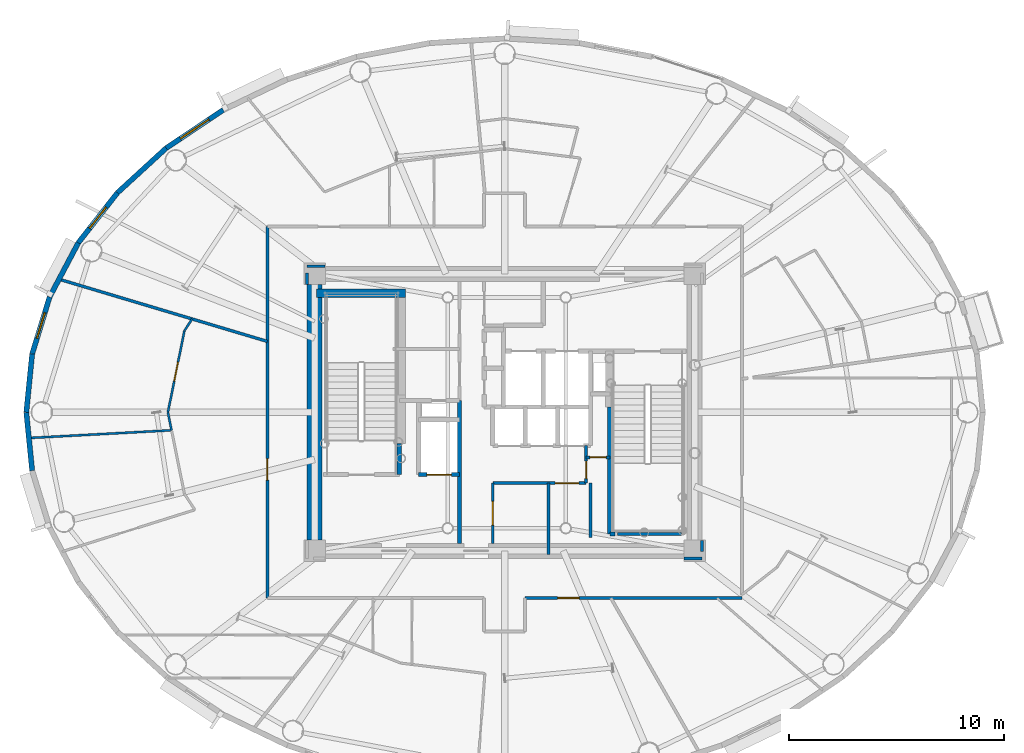
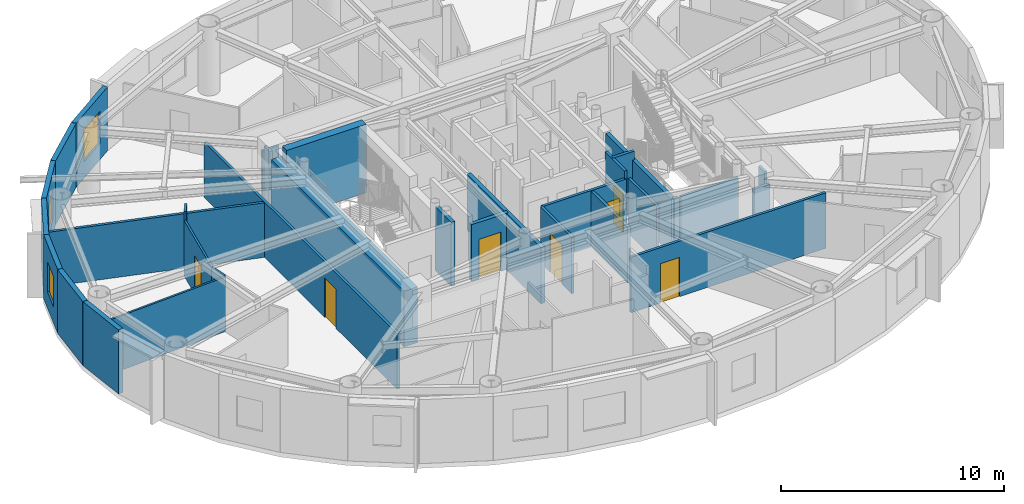
# One storey, part 8 of 18: 32 walls, 8 doors, 3 windows, 11 openings.
"""IFC4 building model written with IfcOpenShell, lengths in metres."""

import ifcopenshell
import ifcopenshell.guid

model = None  # the IFC model being written
_history = None  # IfcOwnerHistory: only IFC2X3 demands one
_inside = {}  # id of a spatial element -> (the spatial element, [elements in it])
_under = {}  # id of a project, library or spatial element -> (it, [spatial elements below it])
_declared = {}  # id of a project -> (the project, [libraries it declares])
_typed = {}  # id of a type object -> (the type object, [elements of that type])
_made_of = {}  # id of a material, layer set ... -> (it, [elements and type objects made of it])


def new_model(schema):
    """Start an empty IFC model of exactly this schema.

    Asked for "IFC4X3", IfcOpenShell would pick the latest addendum, in which some entities
    have other attributes; the version numbers below select the first issue.
    IFC2X3 requires an IfcOwnerHistory on every rooted entity: one is made here for all.
    """
    global model, _history
    if schema == "IFC4X3":
        model = ifcopenshell.file(schema_version=(4, 3, 0, 0))
    else:
        model = ifcopenshell.file(schema=schema)
    _inside.clear()
    _under.clear()
    _declared.clear()
    _typed.clear()
    _made_of.clear()
    _history = None
    if model.schema == "IFC2X3":
        org = make("IfcOrganization", Name="unknown")
        user = make(
            "IfcPersonAndOrganization",
            ThePerson=make("IfcPerson", FamilyName="unknown"),
            TheOrganization=org,
        )
        app = make(
            "IfcApplication",
            ApplicationDeveloper=org,
            Version="unknown",
            ApplicationFullName="unknown",
            ApplicationIdentifier="unknown",
        )
        _history = make(
            "IfcOwnerHistory",
            OwningUser=user,
            OwningApplication=app,
            ChangeAction="ADDED",
            CreationDate=0,
        )
    return model


def make(cls, **values):
    """One entity of the class cls with the attributes given. An attribute that is None is left unset."""
    return model.create_entity(
        cls, **{name: value for name, value in values.items() if value is not None}
    )


def rooted(cls, **values):
    """An entity with a GlobalId (a new one), such as an element, a storey or a relation."""
    return make(cls, GlobalId=ifcopenshell.guid.new(), OwnerHistory=_history, **values)


def si_unit(unit_type, name, prefix=None):
    """IfcSIUnit, for example si_unit("LENGTHUNIT", "METRE", prefix="MILLI")."""
    return make("IfcSIUnit", UnitType=unit_type, Prefix=prefix, Name=name)


def assignment(units):
    """IfcUnitAssignment: the units of a project."""
    return None if units is None else make("IfcUnitAssignment", Units=units)


def point(xyz):
    """IfcCartesianPoint."""
    return None if xyz is None else make("IfcCartesianPoint", Coordinates=xyz)


def direction(xyz):
    """IfcDirection."""
    return None if xyz is None else make("IfcDirection", DirectionRatios=xyz)


def frame(location, z_axis=None, x_axis=None):
    """IfcAxis2Placement3D, a coordinate frame: its origin and axes. An axis left out is left unset."""
    return make(
        "IfcAxis2Placement3D",
        Location=point(location),
        Axis=direction(z_axis),
        RefDirection=direction(x_axis),
    )


def frame_2d(location, x_axis=None):
    """IfcAxis2Placement2D, a coordinate frame in the plane: its origin and x axis."""
    return make(
        "IfcAxis2Placement2D", Location=point(location), RefDirection=direction(x_axis)
    )


def origin():
    """The frame at (0, 0, 0) with its axes left unset."""
    return frame((0.0, 0.0, 0.0))


def origin_2d():
    """The frame at (0, 0) in the plane with its x axis left unset."""
    return frame_2d((0.0, 0.0))


def place(relative_to, where):
    """IfcLocalPlacement: puts the frame where relative to a parent placement (None: the world)."""
    return make(
        "IfcLocalPlacement", PlacementRelTo=relative_to, RelativePlacement=where
    )


def context(
    kind, dimensions, precision=None, world=None, true_north=None, identifier=None
):
    """IfcGeometricRepresentationContext, for example the 3D "Model" context."""
    return make(
        "IfcGeometricRepresentationContext",
        ContextIdentifier=identifier,
        ContextType=kind,
        CoordinateSpaceDimension=dimensions,
        Precision=precision,
        WorldCoordinateSystem=world,
        TrueNorth=true_north,
    )


def subcontext(parent, identifier, kind, view, scale=None):
    """IfcGeometricRepresentationSubContext, for example "Body" below "Model"."""
    return make(
        "IfcGeometricRepresentationSubContext",
        ContextIdentifier=identifier,
        ContextType=kind,
        ParentContext=parent,
        TargetScale=scale,
        TargetView=view,
    )


def project(units=None, contexts=None):
    """IfcProject with its units and contexts."""
    return rooted(
        "IfcProject",
        Name="project",
        RepresentationContexts=contexts,
        UnitsInContext=assignment(units),
    )


def spatial(cls, under=None, at=None, **own):
    """A site, building, storey or space (cls), placed at a placement, below another one or the project."""
    s = rooted(cls, ObjectPlacement=at, **own)
    if under is not None:
        _under.setdefault(under.id(), (under, []))[1].append(s)
    return s


def profile(cls, at=None, kind="AREA", **sizes):
    """A parametric profile (cls). Its sizes go by their IFC names, for example OverallWidth=200.0."""
    return make(cls, ProfileType=kind, Position=at, **sizes)


def rectangle(**sizes):
    """IfcRectangleProfileDef."""
    return profile("IfcRectangleProfileDef", **sizes)


def extrude(swept, where, along, depth):
    """IfcExtrudedAreaSolid: the profile swept, set in the frame where, extruded along a direction by depth."""
    return make(
        "IfcExtrudedAreaSolid",
        SweptArea=swept,
        Position=where,
        ExtrudedDirection=direction(along),
        Depth=depth,
    )


def shape(context_of_items, identifier, shape_type, items):
    """IfcShapeRepresentation: the items that make up one representation, for example the "Body"."""
    return make(
        "IfcShapeRepresentation",
        ContextOfItems=context_of_items,
        RepresentationIdentifier=identifier,
        RepresentationType=shape_type,
        Items=items,
    )


def source(mapping_origin, context_of_items, identifier, shape_type, items):
    """IfcRepresentationMap: a shape defined once, which mapped items show again and again."""
    return make(
        "IfcRepresentationMap",
        MappingOrigin=mapping_origin,
        MappedRepresentation=shape(context_of_items, identifier, shape_type, items),
    )


def transform(
    local_origin,
    x_axis=None,
    y_axis=None,
    z_axis=None,
    scale=None,
    scale2=None,
    scale3=None,
    uniform=True,
):
    """IfcCartesianTransformationOperator3D, or its non-uniform kind. x_axis, y_axis, z_axis: its Axis1, 2, 3."""
    if uniform:
        return make(
            "IfcCartesianTransformationOperator3D",
            Axis1=direction(x_axis),
            Axis2=direction(y_axis),
            LocalOrigin=point(local_origin),
            Scale=scale,
            Axis3=direction(z_axis),
        )
    return make(
        "IfcCartesianTransformationOperator3DnonUniform",
        Axis1=direction(x_axis),
        Axis2=direction(y_axis),
        LocalOrigin=point(local_origin),
        Scale=scale,
        Axis3=direction(z_axis),
        Scale2=scale2,
        Scale3=scale3,
    )


def mapped(mapping_source, mapping_target):
    """IfcMappedItem: shows the shape of a source again, moved by a transform."""
    return make(
        "IfcMappedItem", MappingSource=mapping_source, MappingTarget=mapping_target
    )


def material(Name=None, Category=None):
    """IfcMaterial."""
    return make("IfcMaterial", Name=Name, Category=Category)


def layer(
    of_material, thickness, ventilated=None, Name=None, Category=None, Priority=None
):
    """IfcMaterialLayer: one layer of a wall or slab, of a material (None: an air gap)."""
    return make(
        "IfcMaterialLayer",
        Material=of_material,
        LayerThickness=thickness,
        IsVentilated=ventilated,
        Name=Name,
        Category=Category,
        Priority=Priority,
    )


def layer_set(layers, Name=None):
    """IfcMaterialLayerSet."""
    return make("IfcMaterialLayerSet", MaterialLayers=layers, LayerSetName=Name)


def made_of(thing, what):
    """Note that an element or type object is made of a material, layer set ...; save() writes the relation."""
    if what is not None:
        _made_of.setdefault(what.id(), (what, []))[1].append(thing)
    return thing


def type_object(cls, material=None, **own):
    """A type object (cls), such as IfcWallType, which elements share."""
    return made_of(rooted(cls, **own), material)


def element(
    cls,
    number,
    at=None,
    inside=None,
    cuts=None,
    type_object=None,
    material=None,
    context=None,
    identifier="Body",
    shape_type=None,
    held_by="IfcProductDefinitionShape",
    body=None,
    shapes=None,
    **own,
):
    """One element of the class cls, such as IfcWall. Its Tag is "e" and its number.

    at: its placement. inside: the storey or other place that contains it. cuts: it is an
    opening in that element (IfcRelVoidsElement). A single representation is given by context,
    identifier, shape_type and body (its items); several are given by shapes. held_by: the class
    of the entity that holds the representations. save() writes the other relations.
    """
    e = rooted(cls, Tag="e%d" % number, ObjectPlacement=at, **own)
    if body is not None:
        shapes = [shape(context, identifier, shape_type, body)]
    if shapes is not None:
        e.Representation = make(held_by, Representations=shapes)
    if inside is not None:
        _inside.setdefault(inside.id(), (inside, []))[1].append(e)
    if cuts is not None:
        rooted(
            "IfcRelVoidsElement", RelatingBuildingElement=cuts, RelatedOpeningElement=e
        )
    if type_object is not None:
        _typed.setdefault(type_object.id(), (type_object, []))[1].append(e)
    return made_of(e, material)


def fill(opening, filler):
    """IfcRelFillsElement: the door or window that sits in an opening."""
    return rooted(
        "IfcRelFillsElement",
        RelatingOpeningElement=opening,
        RelatedBuildingElement=filler,
    )


def aggregate(whole, parts):
    """IfcRelAggregates: a whole, such as a stair, and the parts it consists of."""
    return rooted("IfcRelAggregates", RelatingObject=whole, RelatedObjects=parts)


def save(model, path):
    """Write the relations noted so far, then the file.

    IfcRelAggregates (storeys below a building ...), IfcRelContainedInSpatialStructure (elements
    in a storey), IfcRelDefinesByType, IfcRelAssociatesMaterial and IfcRelDeclares: one each for
    every whole, place, type object, material and project.
    """
    for whole, parts in _under.values():
        aggregate(whole, parts)
    for where, things in _inside.values():
        rooted(
            "IfcRelContainedInSpatialStructure",
            RelatedElements=things,
            RelatingStructure=where,
        )
    for kind, things in _typed.values():
        rooted("IfcRelDefinesByType", RelatedObjects=things, RelatingType=kind)
    for what, things in _made_of.values():
        rooted("IfcRelAssociatesMaterial", RelatedObjects=things, RelatingMaterial=what)
    for by, libraries in _declared.values():
        rooted("IfcRelDeclares", RelatingContext=by, RelatedDefinitions=libraries)
    model.write(path)


model = new_model("IFC4")

# Units and contexts
model_context = context("Model", 3, precision=1e-05, world=origin(), true_north=direction((0.0, 1.0)))
body_context = subcontext(model_context, "Body", "Model", "MODEL_VIEW")
ifc_project = project(units=[si_unit("LENGTHUNIT", "METRE"), si_unit("AREAUNIT", "SQUARE_METRE"), si_unit("VOLUMEUNIT", "CUBIC_METRE"), si_unit("PLANEANGLEUNIT", "RADIAN"), si_unit("MASSUNIT", "GRAM", prefix="KILO")], contexts=[model_context])

# Site, building, storey
site_placement = place(None, origin())
site = spatial("IfcSite", under=ifc_project, at=site_placement, CompositionType="ELEMENT")
building_placement = place(site_placement, origin())
building = spatial("IfcBuilding", under=site, at=building_placement, Name="Linh Dai School and Residence Tower", CompositionType="ELEMENT")
storey_placement = place(building_placement, frame((0.0, 0.0, 273.0)))
storey = spatial("IfcBuildingStorey", under=building, at=storey_placement, Name="L67", CompositionType="ELEMENT", Elevation=273.0)

# Wall, opening, window
ifc_material_1 = material(Name="Precast Concrete B45 (C35/45)", Category="concrete")
ifc_layer_1 = layer(ifc_material_1, 0.239990234375)
ifc_layer_set_1 = layer_set([ifc_layer_1], Name="Precast Concrete B45 (C35/45)")
wall_type_1 = type_object("IfcWallType", Name="EW-TC-240", PredefinedType="SOLIDWALL", material=ifc_layer_set_1)
wall_1_placement = place(storey_placement, frame((20.23779296875, 39.30419921875, 0.0), z_axis=(0.0, 0.0, 1.0), x_axis=(0.831250592635, 0.55589787933, 0.0)))
wall_1 = element("IfcWall", 1, at=wall_1_placement, inside=storey, type_object=wall_type_1, Name="L67 Terracotta Exterior Wall 15", PredefinedType="SOLIDWALL", context=body_context, shape_type="SweptSolid", body=[
    extrude(rectangle(XDim=3.197265625, YDim=0.239990234375, at=frame_2d((1.5986328125, 0.0))), origin(), (0.0, 0.0, 1.0), 3.5),
])
opening_1_placement = place(wall_1_placement, frame((0.798583984375, 0.0, 0.89990234375)))
opening_1 = element("IfcOpeningElement", 2, at=opening_1_placement, cuts=wall_1, Name="Opening W2", PredefinedType="OPENING", context=body_context, shape_type="SweptSolid", body=[
    extrude(rectangle(XDim=1.60009765625, YDim=1.75, at=origin_2d()), frame((0.800048828125, 0.1298828125, 0.875), z_axis=(0.0, -1.0, 0.0), x_axis=(1.0, 0.0, 0.0)), (0.0, 0.0, 1.0), 0.260009765625),
])
ifc_material_2 = material(Name="Double Low-E Insulated Glazing", Category="glass")
window_type_1 = type_object("IfcWindowType", Name="WN-RES-1600x1750", PartitioningType="DOUBLE_PANEL_VERTICAL", PredefinedType="WINDOW", material=ifc_material_2)
shared_shape_1 = source(origin(), body_context, "Body", "SweptSolid", [
    extrude(rectangle(XDim=1.60009765625, YDim=1.75, at=origin_2d()), frame((0.800048828125, 0.030029296875, 0.875), z_axis=(0.0, -1.0, 0.0), x_axis=(1.0, 0.0, 0.0)), (0.0, 0.0, 1.0), 0.06005859375),
])
window_1_placement = place(opening_1_placement, origin())
window_1 = element("IfcWindow", 3, at=window_1_placement, inside=storey, type_object=window_type_1, Name="L67 Exterior Window 15.1", OverallHeight=1.75, OverallWidth=1.60009765625, PartitioningType="DOUBLE_PANEL_VERTICAL", PredefinedType="WINDOW", context=body_context, shape_type="MappedRepresentation", body=[
    mapped(shared_shape_1, transform((0.0, 0.0, 0.0), x_axis=(1.0, 0.0, 0.0), y_axis=(0.0, 1.0, 0.0), z_axis=(0.0, 0.0, 1.0), scale=1.0)),
])
fill(opening_1, window_1)

# Wall
wall_2_placement = place(storey_placement, frame((17.9697265625, 37.224609375, 0.0), z_axis=(0.0, 0.0, 1.0), x_axis=(0.737068506972, 0.675818034703, 0.0)))
element("IfcWall", 4, at=wall_2_placement, inside=storey, type_object=wall_type_1, Name="L67 Terracotta Exterior Wall 16", PredefinedType="SOLIDWALL", context=body_context, shape_type="SweptSolid", body=[
    extrude(rectangle(XDim=3.0771484375, YDim=0.239990234375, at=frame_2d((1.53857421875, 0.0))), origin(), (0.0, 0.0, 1.0), 3.5),
])

# Wall, opening, window
wall_3_placement = place(storey_placement, frame((16.146240234375, 34.894775390625, 0.0), z_axis=(0.0, 0.0, 1.0), x_axis=(0.616337186556, 0.787482363275, 0.0)))
wall_3 = element("IfcWall", 5, at=wall_3_placement, inside=storey, type_object=wall_type_1, Name="L67 Terracotta Exterior Wall 17", PredefinedType="SOLIDWALL", context=body_context, shape_type="SweptSolid", body=[
    extrude(rectangle(XDim=2.95849609375, YDim=0.239990234375, at=frame_2d((1.479248046875, 0.0))), origin(), (0.0, 0.0, 1.0), 3.5),
])
opening_2_placement = place(wall_3_placement, frame((0.8544921875, 0.0, 0.89990234375)))
opening_2 = element("IfcOpeningElement", 6, at=opening_2_placement, cuts=wall_3, Name="Opening W3", PredefinedType="OPENING", context=body_context, shape_type="SweptSolid", body=[
    extrude(rectangle(XDim=1.25, YDim=1.64990234375, at=origin_2d()), frame((0.625, 0.1298828125, 0.824951171875), z_axis=(0.0, -1.0, 0.0), x_axis=(1.0, 0.0, 0.0)), (0.0, 0.0, 1.0), 0.260009765625),
])
window_type_2 = type_object("IfcWindowType", Name="WN-RES-1250x1650", PartitioningType="SINGLE_PANEL", PredefinedType="WINDOW", material=ifc_material_2)
shared_shape_2 = source(origin(), body_context, "Body", "SweptSolid", [
    extrude(rectangle(XDim=1.25, YDim=1.64990234375, at=origin_2d()), frame((0.625, 0.030029296875, 0.824951171875), z_axis=(0.0, -1.0, 0.0), x_axis=(1.0, 0.0, 0.0)), (0.0, 0.0, 1.0), 0.06005859375),
])
window_2_placement = place(opening_2_placement, origin())
window_2 = element("IfcWindow", 7, at=window_2_placement, inside=storey, type_object=window_type_2, Name="L67 Exterior Window 17.1", OverallHeight=1.64990234375, OverallWidth=1.25, PartitioningType="SINGLE_PANEL", PredefinedType="WINDOW", context=body_context, shape_type="MappedRepresentation", body=[
    mapped(shared_shape_2, transform((0.0, 0.0, 0.0), x_axis=(1.0, 0.0, 0.0), y_axis=(0.0, 1.0, 0.0), z_axis=(0.0, 0.0, 1.0), scale=1.0)),
])
fill(opening_2, window_2)

# Wall
wall_4_placement = place(storey_placement, frame((14.811767578125, 32.372314453125, 0.0), z_axis=(0.0, 0.0, 1.0), x_axis=(0.467628269026, 0.883925224218, 0.0)))
element("IfcWall", 8, at=wall_4_placement, inside=storey, type_object=wall_type_1, Name="L67 Terracotta Exterior Wall 18", PredefinedType="SOLIDWALL", context=body_context, shape_type="SweptSolid", body=[
    extrude(rectangle(XDim=2.853759765625, YDim=0.239990234375, at=frame_2d((1.4267578125, 0.0))), origin(), (0.0, 0.0, 1.0), 3.5),
])

# Wall, opening, window
wall_5_placement = place(storey_placement, frame((13.998291015625, 29.718994140625, 0.0), z_axis=(0.0, 0.0, 1.0), x_axis=(0.2931213403, 0.956075248012, 0.0)))
wall_5 = element("IfcWall", 9, at=wall_5_placement, inside=storey, type_object=wall_type_1, Name="L67 Terracotta Exterior Wall 19", PredefinedType="SOLIDWALL", context=body_context, shape_type="SweptSolid", body=[
    extrude(rectangle(XDim=2.775146484375, YDim=0.239990234375, at=frame_2d((1.3876953125, 0.0))), origin(), (0.0, 0.0, 1.0), 3.5),
])
opening_3_placement = place(wall_5_placement, frame((0.7626953125, 0.0, 0.89990234375)))
opening_3 = element("IfcOpeningElement", 10, at=opening_3_placement, cuts=wall_5, Name="Opening W3", PredefinedType="OPENING", context=body_context, shape_type="SweptSolid", body=[
    extrude(rectangle(XDim=1.25, YDim=1.64990234375, at=origin_2d()), frame((0.625, 0.1298828125, 0.824951171875), z_axis=(0.0, -1.0, 0.0), x_axis=(1.0, 0.0, 0.0)), (0.0, 0.0, 1.0), 0.260009765625),
])
window_3_placement = place(opening_3_placement, origin())
window_3 = element("IfcWindow", 11, at=window_3_placement, inside=storey, type_object=window_type_2, Name="L67 Exterior Window 19.1", OverallHeight=1.64990234375, OverallWidth=1.25, PartitioningType="SINGLE_PANEL", PredefinedType="WINDOW", context=body_context, shape_type="MappedRepresentation", body=[
    mapped(shared_shape_2, transform((0.0, 0.0, 0.0), x_axis=(1.0, 0.0, 0.0), y_axis=(0.0, 1.0, 0.0), z_axis=(0.0, 0.0, 1.0), scale=1.0)),
])
fill(opening_3, window_3)

# Walls
for number, where, z_axis, x_axis, name in (
    (12, (13.72509765625, 27.0, 0.0), (0.0, 0.0, 1.0), (0.099972526841, 0.99499019788, 0.0), "L67 Terracotta Exterior Wall 20"),
    (13, (13.998291015625, 24.281005859375, 0.0), (0.0, 0.0, 1.0), (-0.099972526841, 0.99499019788, 0.0), "L67 Terracotta Exterior Wall 21"),
):
    element("IfcWall", number, at=place(storey_placement, frame(where, z_axis=z_axis, x_axis=x_axis)), inside=storey, type_object=wall_type_1, Name=name, PredefinedType="SOLIDWALL", context=body_context, shape_type="SweptSolid", body=[
        extrude(rectangle(XDim=2.732666015625, YDim=0.239990234375, at=frame_2d((1.3662109375, 0.0))), origin(), (0.0, 0.0, 1.0), 3.5),
    ])
ifc_material_3 = material(Name="Autoclaved Aerated Concrete Blockwork", Category="masonry")
ifc_layer_2 = layer(ifc_material_3, 0.135009765625)
ifc_layer_set_2 = layer_set([ifc_layer_2], Name="Autoclaved Aerated Concrete Blockwork")
wall_type_2 = type_object("IfcWallType", Name="IW-CORR-135-EI90", PredefinedType="PARTITIONING", material=ifc_layer_set_2)
wall_6_placement = place(storey_placement, frame((15.244140625, 33.199951171875, 0.0), z_axis=(0.0, 0.0, 1.0), x_axis=(0.958167234785, -0.286208927508, 0.0)))
element("IfcWall", 14, at=wall_6_placement, inside=storey, type_object=wall_type_2, Name="L67 Interior Partition Wall 002", PredefinedType="PARTITIONING", context=body_context, shape_type="SweptSolid", body=[
    extrude(rectangle(XDim=10.129638671875, YDim=0.135009765625, at=frame_2d((5.06494140625, 0.0))), origin(), (0.0, 0.0, 1.0), 2.985107421875),
])

# Wall, opening, door
wall_7_placement = place(storey_placement, frame((24.949951171875, 18.35009765625, 0.0), z_axis=(0.0, 0.0, 1.0), x_axis=(0.0, 1.0, 0.0)))
wall_7 = element("IfcWall", 15, at=wall_7_placement, inside=storey, type_object=wall_type_2, Name="L67 Interior Partition Wall 013", PredefinedType="PARTITIONING", context=body_context, shape_type="SweptSolid", body=[
    extrude(rectangle(XDim=17.2998046875, YDim=0.135009765625, at=frame_2d((8.64990234375, 0.0))), origin(), (0.0, 0.0, 1.0), 3.034912109375),
])
opening_4_placement = place(wall_7_placement, frame((5.495361328125, 0.0, 0.0)))
opening_4 = element("IfcOpeningElement", 16, at=opening_4_placement, cuts=wall_7, Name="Opening D03", PredefinedType="OPENING", context=body_context, shape_type="SweptSolid", body=[
    extrude(rectangle(XDim=1.0, YDim=2.14990234375, at=origin_2d()), frame((0.5, 0.07763671875, 1.074951171875), z_axis=(0.0, -1.0, 0.0), x_axis=(1.0, 0.0, 0.0)), (0.0, 0.0, 1.0), 0.155029296875),
])
ifc_material_4 = material(Name="Fire-Rated Solid Timber Entrance Door", Category="wood")
door_type_1 = type_object("IfcDoorType", Name="DR-FLAT-1000x2150-FD60S", OperationType="NOTDEFINED", PredefinedType="DOOR", material=ifc_material_4)
shared_shape_3 = source(origin(), body_context, "Body", "SweptSolid", [
    extrude(rectangle(XDim=1.0, YDim=2.14990234375, at=origin_2d()), frame((0.5, 0.02490234375, 1.074951171875), z_axis=(0.0, -1.0, 0.0), x_axis=(1.0, 0.0, 0.0)), (0.0, 0.0, 1.0), 0.050048828125),
])
door_1_placement = place(opening_4_placement, origin())
door_1 = element("IfcDoor", 17, at=door_1_placement, inside=storey, type_object=door_type_1, Name="L67 U6704 Apartment Entrance Door", OperationType="SINGLE_SWING_LEFT", OverallHeight=2.14990234375, OverallWidth=1.0, PredefinedType="DOOR", context=body_context, shape_type="MappedRepresentation", body=[
    mapped(shared_shape_3, transform((0.0, 0.0, 0.0), x_axis=(1.0, 0.0, 0.0), y_axis=(0.0, 1.0, 0.0), z_axis=(0.0, 0.0, 1.0), scale=1.0)),
])
fill(opening_4, door_1)

wall_8_placement = place(storey_placement, frame((35.449951171875, 20.89990234375, 0.0), z_axis=(0.0, 0.0, 1.0), x_axis=(0.0, 1.0, 0.0)))
wall_8 = element("IfcWall", 18, at=wall_8_placement, inside=storey, type_object=wall_type_2, Name="L67 Interior Partition Wall 046", PredefinedType="PARTITIONING", context=body_context, shape_type="SweptSolid", body=[
    extrude(rectangle(XDim=2.800048828125, YDim=0.135009765625, at=frame_2d((1.39990234375, 0.0))), origin(), (0.0, 0.0, 1.0), 3.0849609375),
])
opening_5_placement = place(wall_8_placement, frame((0.85009765625, 0.0, 0.0)))
opening_5 = element("IfcOpeningElement", 19, at=opening_5_placement, cuts=wall_8, Name="Opening D07", PredefinedType="OPENING", context=body_context, shape_type="SweptSolid", body=[
    extrude(rectangle(XDim=1.10009765625, YDim=2.14990234375, at=origin_2d()), frame((0.550048828125, 0.07763671875, 1.074951171875), z_axis=(0.0, -1.0, 0.0), x_axis=(1.0, 0.0, 0.0)), (0.0, 0.0, 1.0), 0.155029296875),
])
ifc_material_5 = material(Name="Fire-Rated Louvred Steel Plant Door", Category="steel")
door_type_2 = type_object("IfcDoorType", Name="DR-PLT-1100x2150-FD60S", OperationType="NOTDEFINED", PredefinedType="DOOR", material=ifc_material_5)
shared_shape_4 = source(origin(), body_context, "Body", "SweptSolid", [
    extrude(rectangle(XDim=1.10009765625, YDim=2.14990234375, at=origin_2d()), frame((0.550048828125, 0.02490234375, 1.074951171875), z_axis=(0.0, -1.0, 0.0), x_axis=(1.0, 0.0, 0.0)), (0.0, 0.0, 1.0), 0.050048828125),
])
door_2_placement = place(opening_5_placement, origin())
door_2 = element("IfcDoor", 20, at=door_2_placement, inside=storey, type_object=door_type_2, Name="L67 Floor Electrical Switchroom Door", OperationType="SINGLE_SWING_LEFT", OverallHeight=2.14990234375, OverallWidth=1.10009765625, PredefinedType="DOOR", context=body_context, shape_type="MappedRepresentation", body=[
    mapped(shared_shape_4, transform((0.0, 0.0, 0.0), x_axis=(1.0, 0.0, 0.0), y_axis=(0.0, 1.0, 0.0), z_axis=(0.0, 0.0, 1.0), scale=1.0)),
])
fill(opening_5, door_2)

wall_9_placement = place(storey_placement, frame((35.449951171875, 23.699951171875, 0.0), z_axis=(0.0, 0.0, 1.0), x_axis=(1.0, 0.0, 0.0)))
wall_9 = element("IfcWall", 21, at=wall_9_placement, inside=storey, type_object=wall_type_2, Name="L67 Interior Partition Wall 047", PredefinedType="PARTITIONING", context=body_context, shape_type="SweptSolid", body=[
    extrude(rectangle(XDim=4.35009765625, YDim=0.135009765625, at=frame_2d((2.175048828125, 0.0))), origin(), (0.0, 0.0, 1.0), 3.0849609375),
])
opening_6_placement = place(wall_9_placement, frame((2.905029296875, 0.0, 0.0)))
opening_6 = element("IfcOpeningElement", 22, at=opening_6_placement, cuts=wall_9, Name="Opening D07", PredefinedType="OPENING", context=body_context, shape_type="SweptSolid", body=[
    extrude(rectangle(XDim=1.10009765625, YDim=2.14990234375, at=origin_2d()), frame((0.550048828125, 0.07763671875, 1.074951171875), z_axis=(0.0, -1.0, 0.0), x_axis=(1.0, 0.0, 0.0)), (0.0, 0.0, 1.0), 0.155029296875),
])
door_3_placement = place(opening_6_placement, origin())
door_3 = element("IfcDoor", 23, at=door_3_placement, inside=storey, type_object=door_type_2, Name="L67 Telecom Node Room Door", OperationType="SINGLE_SWING_RIGHT", OverallHeight=2.14990234375, OverallWidth=1.10009765625, PredefinedType="DOOR", context=body_context, shape_type="MappedRepresentation", body=[
    mapped(shared_shape_4, transform((0.0, 0.0, 0.0), x_axis=(1.0, 0.0, 0.0), y_axis=(0.0, 1.0, 0.0), z_axis=(0.0, 0.0, 1.0), scale=1.0)),
])
fill(opening_6, door_3)

wall_10_placement = place(storey_placement, frame((36.949951171875, 18.35009765625, 0.0), z_axis=(0.0, 0.0, 1.0), x_axis=(1.0, 0.0, 0.0)))
wall_10 = element("IfcWall", 24, at=wall_10_placement, inside=storey, type_object=wall_type_2, Name="L67 Interior Partition Wall 056", PredefinedType="PARTITIONING", context=body_context, shape_type="SweptSolid", body=[
    extrude(rectangle(XDim=10.10009765625, YDim=0.135009765625, at=frame_2d((5.050048828125, 0.0))), origin(), (0.0, 0.0, 1.0), 3.034912109375),
])
opening_7_placement = place(wall_10_placement, frame((1.52099609375, 0.0, 0.0)))
opening_7 = element("IfcOpeningElement", 25, at=opening_7_placement, cuts=wall_10, Name="Opening D03", PredefinedType="OPENING", context=body_context, shape_type="SweptSolid", body=[
    extrude(rectangle(XDim=1.0, YDim=2.14990234375, at=origin_2d()), frame((0.5, 0.07763671875, 1.074951171875), z_axis=(0.0, -1.0, 0.0), x_axis=(1.0, 0.0, 0.0)), (0.0, 0.0, 1.0), 0.155029296875),
])
door_4_placement = place(opening_7_placement, origin())
door_4 = element("IfcDoor", 26, at=door_4_placement, inside=storey, type_object=door_type_1, Name="L67 U6705 Apartment Entrance Door", OperationType="SINGLE_SWING_RIGHT", OverallHeight=2.14990234375, OverallWidth=1.0, PredefinedType="DOOR", context=body_context, shape_type="MappedRepresentation", body=[
    mapped(shared_shape_3, transform((0.0, 0.0, 0.0), x_axis=(1.0, 0.0, 0.0), y_axis=(0.0, 1.0, 0.0), z_axis=(0.0, 0.0, 1.0), scale=1.0)),
])
fill(opening_7, door_4)

wall_11_placement = place(storey_placement, frame((39.800048828125, 23.699951171875, 0.0), z_axis=(0.0, 0.0, 1.0), x_axis=(0.0, 1.0, 0.0)))
wall_11 = element("IfcWall", 27, at=wall_11_placement, inside=storey, type_object=wall_type_2, Name="L67 Interior Partition Wall 067", PredefinedType="PARTITIONING", context=body_context, shape_type="SweptSolid", body=[
    extrude(rectangle(XDim=1.75, YDim=0.135009765625, at=frame_2d((0.875, 0.0))), origin(), (0.0, 0.0, 1.0), 3.5),
])
opening_8_placement = place(wall_11_placement, frame((0.2099609375, 0.0, 0.0)))
opening_8 = element("IfcOpeningElement", 28, at=opening_8_placement, cuts=wall_11, Name="Opening D06", PredefinedType="OPENING", context=body_context, shape_type="SweptSolid", body=[
    extrude(rectangle(XDim=0.820068359375, YDim=2.10009765625, at=origin_2d()), frame((0.41015625, 0.07763671875, 1.050048828125), z_axis=(0.0, -1.0, 0.0), x_axis=(1.0, 0.0, 0.0)), (0.0, 0.0, 1.0), 0.155029296875),
])
ifc_material_6 = material(Name="Moisture-Resistant Timber Bathroom Door", Category="wood")
door_type_3 = type_object("IfcDoorType", Name="DR-WET-820x2100", OperationType="NOTDEFINED", PredefinedType="DOOR", material=ifc_material_6)
shared_shape_5 = source(origin(), body_context, "Body", "SweptSolid", [
    extrude(rectangle(XDim=0.820068359375, YDim=2.10009765625, at=origin_2d()), frame((0.41015625, 0.02490234375, 1.050048828125), z_axis=(0.0, -1.0, 0.0), x_axis=(1.0, 0.0, 0.0)), (0.0, 0.0, 1.0), 0.050048828125),
])
door_5_placement = place(opening_8_placement, origin())
door_5 = element("IfcDoor", 29, at=door_5_placement, inside=storey, type_object=door_type_3, Name="L67 SE Electrical Closet Door", OperationType="SINGLE_SWING_RIGHT", OverallHeight=2.10009765625, OverallWidth=0.820068359375, PredefinedType="DOOR", context=body_context, shape_type="MappedRepresentation", body=[
    mapped(shared_shape_5, transform((0.0, 0.0, 0.0), x_axis=(1.0, 0.0, 0.0), y_axis=(0.0, 1.0, 0.0), z_axis=(0.0, 0.0, 1.0), scale=1.0)),
])
fill(opening_8, door_5)

# Walls
wall_12_placement = place(storey_placement, frame((44.239990234375, 21.330078125, 0.0), z_axis=(0.0, 0.0, 1.0), x_axis=(-1.0, 0.0, 0.0)))
element("IfcWall", 30, at=wall_12_placement, inside=storey, type_object=wall_type_2, Name="L67 Interior Partition Wall 090", PredefinedType="PARTITIONING", context=body_context, shape_type="SweptSolid", body=[
    extrude(rectangle(XDim=2.97998046875, YDim=0.135009765625, at=frame_2d((1.489990234375, 0.0))), origin(), (0.0, 0.0, 1.0), 3.034912109375),
])
wall_13_placement = place(storey_placement, frame((40.0, 23.699951171875, 0.0), z_axis=(0.0, 0.0, 1.0), x_axis=(0.0, -1.0, 0.0)))
element("IfcWall", 31, at=wall_13_placement, inside=storey, type_object=wall_type_2, Name="L67 Interior Partition Wall 091", PredefinedType="PARTITIONING", context=body_context, shape_type="SweptSolid", body=[
    extrude(rectangle(XDim=2.5400390625, YDim=0.135009765625, at=frame_2d((1.27001953125, 0.0))), origin(), (0.0, 0.0, 1.0), 3.034912109375),
])
wall_14_placement = place(storey_placement, frame((27.639892578125, 33.800048828125, 0.0), z_axis=(0.0, 0.0, 1.0), x_axis=(-1.0, 0.0, 0.0)))
element("IfcWall", 32, at=wall_14_placement, inside=storey, type_object=wall_type_2, Name="L67 Interior Partition Wall 093", PredefinedType="PARTITIONING", context=body_context, shape_type="SweptSolid", body=[
    extrude(rectangle(XDim=0.83984375, YDim=0.135009765625, at=frame_2d((0.419921875, 0.0))), origin(), (0.0, 0.0, 1.0), 3.034912109375),
])
wall_15_placement = place(storey_placement, frame((26.800048828125, 33.492431640625, 0.0), z_axis=(0.0, 0.0, 1.0), x_axis=(0.0, -1.0, 0.0)))
element("IfcWall", 33, at=wall_15_placement, inside=storey, type_object=wall_type_2, Name="L67 Interior Partition Wall 094", PredefinedType="PARTITIONING", context=body_context, shape_type="SweptSolid", body=[
    extrude(rectangle(XDim=0.532470703125, YDim=0.135009765625, at=frame_2d((0.26611328125, 0.0))), origin(), (0.0, 0.0, 1.0), 3.5),
])
wall_16_placement = place(storey_placement, frame((44.360107421875, 20.199951171875, 0.0), z_axis=(0.0, 0.0, 1.0), x_axis=(1.0, 0.0, 0.0)))
element("IfcWall", 34, at=wall_16_placement, inside=storey, type_object=wall_type_2, Name="L67 Interior Partition Wall 097", PredefinedType="PARTITIONING", context=body_context, shape_type="SweptSolid", body=[
    extrude(rectangle(XDim=0.83984375, YDim=0.135009765625, at=frame_2d((0.419921875, 0.0))), origin(), (0.0, 0.0, 1.0), 3.034912109375),
])
wall_17_placement = place(storey_placement, frame((45.199951171875, 20.507568359375, 0.0), z_axis=(0.0, 0.0, 1.0), x_axis=(0.0, 1.0, 0.0)))
element("IfcWall", 35, at=wall_17_placement, inside=storey, type_object=wall_type_2, Name="L67 Interior Partition Wall 098", PredefinedType="PARTITIONING", context=body_context, shape_type="SweptSolid", body=[
    extrude(rectangle(XDim=0.532470703125, YDim=0.135009765625, at=frame_2d((0.26611328125, 0.0))), origin(), (0.0, 0.0, 1.0), 3.5),
])
ifc_layer_3 = layer(ifc_material_3, 0.14990234375)
ifc_layer_set_3 = layer_set([ifc_layer_3], Name="Autoclaved Aerated Concrete Blockwork")
wall_type_3 = type_object("IfcWallType", Name="IW-SCH-150-EI60", PredefinedType="PARTITIONING", material=ifc_layer_set_3)
wall_18_placement = place(storey_placement, frame((38.050048828125, 20.3798828125, 0.0), z_axis=(0.0, 0.0, 1.0), x_axis=(0.0, 1.0, 0.0)))
element("IfcWall", 36, at=wall_18_placement, inside=storey, type_object=wall_type_3, Name="L67 Interior Partition Wall 062", PredefinedType="PARTITIONING", context=body_context, shape_type="SweptSolid", body=[
    extrude(rectangle(XDim=3.320068359375, YDim=0.14990234375, at=frame_2d((1.66015625, 0.0))), origin(), (0.0, 0.0, 1.0), 3.034912109375),
])

# Wall, opening, door
wall_19_placement = place(storey_placement, frame((39.800048828125, 24.89990234375, 0.0), z_axis=(0.0, 0.0, 1.0), x_axis=(1.0, 0.0, 0.0)))
wall_19 = element("IfcWall", 37, at=wall_19_placement, inside=storey, type_object=wall_type_3, Name="L67 Interior Partition Wall 068", PredefinedType="PARTITIONING", context=body_context, shape_type="SweptSolid", body=[
    extrude(rectangle(XDim=1.099853515625, YDim=0.14990234375, at=frame_2d((0.5498046875, 0.0))), origin(), (0.0, 0.0, 1.0), 3.5),
])
opening_9_placement = place(wall_19_placement, frame((0.169921875, 0.0, 0.0)))
opening_9 = element("IfcOpeningElement", 38, at=opening_9_placement, cuts=wall_19, Name="Opening D08", PredefinedType="OPENING", context=body_context, shape_type="SweptSolid", body=[
    extrude(rectangle(XDim=0.760009765625, YDim=2.10009765625, at=origin_2d()), frame((0.3798828125, 0.0849609375, 1.050048828125), z_axis=(0.0, -1.0, 0.0), x_axis=(1.0, 0.0, 0.0)), (0.0, 0.0, 1.0), 0.169921875),
])
ifc_material_7 = material(Name="Engineered Timber Closet and Study Door", Category="wood")
door_type_4 = type_object("IfcDoorType", Name="DR-CMP-760x2100", OperationType="NOTDEFINED", PredefinedType="DOOR", material=ifc_material_7)
shared_shape_6 = source(origin(), body_context, "Body", "SweptSolid", [
    extrude(rectangle(XDim=0.760009765625, YDim=2.10009765625, at=origin_2d()), frame((0.3798828125, 0.02490234375, 1.050048828125), z_axis=(0.0, -1.0, 0.0), x_axis=(1.0, 0.0, 0.0)), (0.0, 0.0, 1.0), 0.050048828125),
])
door_6_placement = place(opening_9_placement, origin())
door_6 = element("IfcDoor", 39, at=door_6_placement, inside=storey, type_object=door_type_4, Name="L67 NE Equipment Store Door", OperationType="SINGLE_SWING_LEFT", OverallHeight=2.10009765625, OverallWidth=0.760009765625, PredefinedType="DOOR", context=body_context, shape_type="MappedRepresentation", body=[
    mapped(shared_shape_6, transform((0.0, 0.0, 0.0), x_axis=(1.0, 0.0, 0.0), y_axis=(0.0, 1.0, 0.0), z_axis=(0.0, 0.0, 1.0), scale=1.0)),
])
fill(opening_9, door_6)

# Wall
ifc_material_8 = material(Name="Concrete B45 (C35/45)", Category="concrete")
ifc_layer_4 = layer(ifc_material_8, 0.199951171875)
ifc_layer_set_4 = layer_set([ifc_layer_4], Name="Concrete B45 (C35/45)")
wall_type_4 = type_object("IfcWallType", Name="IW-SHAFT-200-EI120", PredefinedType="PARTITIONING", material=ifc_layer_set_4)
wall_20_placement = place(storey_placement, frame((31.10009765625, 24.10009765625, 0.0), z_axis=(0.0, 0.0, 1.0), x_axis=(0.0, 1.0, 0.0)))
element("IfcWall", 40, at=wall_20_placement, inside=storey, type_object=wall_type_4, Name="L67 Interior Partition Wall 022", PredefinedType="PARTITIONING", context=body_context, shape_type="SweptSolid", body=[
    extrude(rectangle(XDim=1.43994140625, YDim=0.199951171875, at=frame_2d((0.719970703125, 0.0))), origin(), (0.0, 0.0, 1.0), 3.5),
])

# Wall, opening, door
wall_21_placement = place(storey_placement, frame((32.0, 24.10009765625, 0.0), z_axis=(0.0, 0.0, 1.0), x_axis=(1.0, 0.0, 0.0)))
wall_21 = element("IfcWall", 41, at=wall_21_placement, inside=storey, type_object=wall_type_4, Name="L67 Interior Partition Wall 028", PredefinedType="PARTITIONING", context=body_context, shape_type="SweptSolid", body=[
    extrude(rectangle(XDim=1.89990234375, YDim=0.199951171875, at=frame_2d((0.949951171875, 0.0))), origin(), (0.0, 0.0, 1.0), 3.0849609375),
])
opening_10_placement = place(wall_21_placement, frame((0.375, 0.0, 0.0)))
opening_10 = element("IfcOpeningElement", 42, at=opening_10_placement, cuts=wall_21, Name="Opening LD-FF2", PredefinedType="OPENING", context=body_context, shape_type="SweptSolid", body=[
    extrude(rectangle(XDim=1.14990234375, YDim=2.14990234375, at=origin_2d()), frame((0.574951171875, 0.10986328125, 1.074951171875), z_axis=(0.0, -1.0, 0.0), x_axis=(1.0, 0.0, 0.0)), (0.0, 0.0, 1.0), 0.219970703125),
])
ifc_material_9 = material(Name="Fire-Rated Stainless Steel Firefighting Lift Door", Category="steel")
door_type_5 = type_object("IfcDoorType", Name="DR-LD-FF-1150x2150-FD120", OperationType="DOUBLE_DOOR_SLIDING", PredefinedType="USERDEFINED", material=ifc_material_9)
shared_shape_7 = source(origin(), body_context, "Body", "SweptSolid", [
    extrude(rectangle(XDim=1.14990234375, YDim=2.14990234375, at=origin_2d()), frame((0.574951171875, 0.02490234375, 1.074951171875), z_axis=(0.0, -1.0, 0.0), x_axis=(1.0, 0.0, 0.0)), (0.0, 0.0, 1.0), 0.050048828125),
])
door_7_placement = place(opening_10_placement, origin())
door_7 = element("IfcDoor", 43, at=door_7_placement, inside=storey, type_object=door_type_5, Name="L67 Lift FF2 Sliding Landing Door", ObjectType="LANDING DOOR", OperationType="DOUBLE_DOOR_SLIDING", OverallHeight=2.14990234375, OverallWidth=1.14990234375, PredefinedType="USERDEFINED", context=body_context, shape_type="MappedRepresentation", body=[
    mapped(shared_shape_7, transform((0.0, 0.0, 0.0), x_axis=(1.0, 0.0, 0.0), y_axis=(0.0, 1.0, 0.0), z_axis=(0.0, 0.0, 1.0), scale=1.0)),
])
fill(opening_10, door_7)

# Walls
wall_22_placement = place(storey_placement, frame((33.89990234375, 20.89990234375, 0.0), z_axis=(0.0, 0.0, 1.0), x_axis=(0.0, 1.0, 0.0)))
element("IfcWall", 44, at=wall_22_placement, inside=storey, type_object=wall_type_4, Name="L67 Interior Partition Wall 031", PredefinedType="PARTITIONING", context=body_context, shape_type="SweptSolid", body=[
    extrude(rectangle(XDim=6.650146484375, YDim=0.199951171875, at=frame_2d((3.3251953125, 0.0))), origin(), (0.0, 0.0, 1.0), 3.0849609375),
])
wall_23_placement = place(storey_placement, frame((40.89990234375, 21.330078125, 0.0), z_axis=(0.0, 0.0, 1.0), x_axis=(0.0, 1.0, 0.0)))
element("IfcWall", 45, at=wall_23_placement, inside=storey, type_object=wall_type_4, Name="L67 Interior Partition Wall 071", PredefinedType="PARTITIONING", context=body_context, shape_type="SweptSolid", body=[
    extrude(rectangle(XDim=5.909912109375, YDim=0.199951171875, at=frame_2d((2.955078125, 0.0))), origin(), (0.0, 0.0, 1.0), 3.034912109375),
])
wall_24_placement = place(storey_placement, frame((40.89990234375, 21.330078125, 0.0), z_axis=(0.0, 0.0, 1.0), x_axis=(1.0, 0.0, 0.0)))
element("IfcWall", 46, at=wall_24_placement, inside=storey, type_object=wall_type_4, Name="L67 Interior Partition Wall 072", PredefinedType="PARTITIONING", context=body_context, shape_type="SweptSolid", body=[
    extrude(rectangle(XDim=0.25, YDim=0.199951171875, at=frame_2d((0.125, 0.0))), origin(), (0.0, 0.0, 1.0), 3.034912109375),
])
ifc_material_10 = material(Name="Gypsum Plasterboard Acoustic Stud Partition", Category="masonry")
ifc_layer_5 = layer(ifc_material_10, 0.10009765625)
ifc_layer_set_5 = layer_set([ifc_layer_5], Name="Gypsum Plasterboard Acoustic Stud Partition")
wall_type_5 = type_object("IfcWallType", Name="IW-UNIT-100", PredefinedType="PARTITIONING", material=ifc_layer_set_5)
wall_25_placement = place(storey_placement, frame((13.84033203125, 25.802490234375, 0.0), z_axis=(0.0, 0.0, 1.0), x_axis=(0.998542593702, 0.05396932983, 0.0)))
element("IfcWall", 47, at=wall_25_placement, inside=storey, type_object=wall_type_5, Name="L67 Interior Partition Wall 001", PredefinedType="PARTITIONING", context=body_context, shape_type="SweptSolid", body=[
    extrude(rectangle(XDim=6.658935546875, YDim=0.10009765625, at=frame_2d((3.32958984375, 0.0))), origin(), (0.0, 0.0, 1.0), 2.985107421875),
])
wall_26_placement = place(storey_placement, frame((20.320068359375, 27.0, 0.0), z_axis=(0.0, 0.0, 1.0), x_axis=(0.198147261764, -0.980172261725, 0.0)))
element("IfcWall", 48, at=wall_26_placement, inside=storey, type_object=wall_type_5, Name="L67 Interior Partition Wall 005", PredefinedType="PARTITIONING", context=body_context, shape_type="SweptSolid", body=[
    extrude(rectangle(XDim=0.85498046875, YDim=0.10009765625, at=frame_2d((0.427490234375, 0.0))), origin(), (0.0, 0.0, 1.0), 3.034912109375),
])

# Wall, opening, door
wall_27_placement = place(storey_placement, frame((20.320068359375, 27.0, 0.0), z_axis=(0.0, 0.0, 1.0), x_axis=(0.198226068862, 0.980156327135, 0.0)))
wall_27 = element("IfcWall", 49, at=wall_27_placement, inside=storey, type_object=wall_type_5, Name="L67 Interior Partition Wall 006", PredefinedType="PARTITIONING", context=body_context, shape_type="SweptSolid", body=[
    extrude(rectangle(XDim=3.87109375, YDim=0.10009765625, at=frame_2d((1.935546875, 0.0))), origin(), (0.0, 0.0, 1.0), 3.034912109375),
])
opening_11_placement = place(wall_27_placement, frame((1.485595703125, 0.0, 0.0)))
opening_11 = element("IfcOpeningElement", 50, at=opening_11_placement, cuts=wall_27, Name="Opening D05", PredefinedType="OPENING", context=body_context, shape_type="SweptSolid", body=[
    extrude(rectangle(XDim=0.89990234375, YDim=2.10009765625, at=origin_2d()), frame((0.449951171875, 0.06005859375, 1.050048828125), z_axis=(0.0, -1.0, 0.0), x_axis=(1.0, 0.0, 0.0)), (0.0, 0.0, 1.0), 0.1201171875),
])
ifc_material_11 = material(Name="Engineered Timber Internal Door", Category="wood")
door_type_6 = type_object("IfcDoorType", Name="DR-INT-900x2100", OperationType="NOTDEFINED", PredefinedType="DOOR", material=ifc_material_11)
shared_shape_8 = source(origin(), body_context, "Body", "SweptSolid", [
    extrude(rectangle(XDim=0.89990234375, YDim=2.10009765625, at=origin_2d()), frame((0.449951171875, 0.02490234375, 1.050048828125), z_axis=(0.0, -1.0, 0.0), x_axis=(1.0, 0.0, 0.0)), (0.0, 0.0, 1.0), 0.050048828125),
])
door_8_placement = place(opening_11_placement, origin())
door_8 = element("IfcDoor", 51, at=door_8_placement, inside=storey, type_object=door_type_6, Name="L67 Apartment U6704 Principal Bedroom 1 Door", OperationType="SINGLE_SWING_RIGHT", OverallHeight=2.10009765625, OverallWidth=0.89990234375, PredefinedType="DOOR", context=body_context, shape_type="MappedRepresentation", body=[
    mapped(shared_shape_8, transform((0.0, 0.0, 0.0), x_axis=(1.0, 0.0, 0.0), y_axis=(0.0, 1.0, 0.0), z_axis=(0.0, 0.0, 1.0), scale=1.0)),
])
fill(opening_11, door_8)

# Walls
wall_28_placement = place(storey_placement, frame((21.08740234375, 30.794189453125, 0.0), z_axis=(0.0, 0.0, 1.0), x_axis=(0.545443507803, 0.838147588313, 0.0)))
element("IfcWall", 52, at=wall_28_placement, inside=storey, type_object=wall_type_5, Name="L67 Interior Partition Wall 010", PredefinedType="PARTITIONING", context=body_context, shape_type="SweptSolid", body=[
    extrude(rectangle(XDim=0.65966796875, YDim=0.10009765625, at=frame_2d((0.329833984375, 0.0))), origin(), (0.0, 0.0, 1.0), 3.5),
])
ifc_layer_6 = layer(ifc_material_8, 0.39990234375)
ifc_layer_set_6 = layer_set([ifc_layer_6], Name="Concrete B45 (C35/45)")
wall_type_6 = type_object("IfcWallType", Name="WL-CORE400", PredefinedType="SHEAR", material=ifc_layer_set_6)
wall_29_placement = place(storey_placement, frame((27.25, 32.550048828125, 0.0), z_axis=(0.0, 0.0, 1.0), x_axis=(1.0, 0.0, 0.0)))
element("IfcWall", 53, at=wall_29_placement, inside=storey, type_object=wall_type_6, Name="L67 Core Stair ST1 Bearing Wall N", PredefinedType="SHEAR", context=body_context, shape_type="SweptSolid", body=[
    extrude(rectangle(XDim=4.1298828125, YDim=0.39990234375, at=frame_2d((2.06494140625, 0.0))), origin(), (0.0, 0.0, 1.0), 3.75),
])
ifc_layer_7 = layer(ifc_material_8, 0.699951171875)
ifc_layer_set_7 = layer_set([ifc_layer_7], Name="Concrete B45 (C35/45)")
wall_type_7 = type_object("IfcWallType", Name="WL-CORE700", PredefinedType="SHEAR", material=ifc_layer_set_7)
wall_30_placement = place(storey_placement, frame((27.14990234375, 21.050048828125, 0.0), z_axis=(0.0, 0.0, 1.0), x_axis=(0.0, 1.0, 0.0)))
element("IfcWall", 54, at=wall_30_placement, inside=storey, type_object=wall_type_7, Name="L67 Central Core Shear Wall W", PredefinedType="SHEAR", context=body_context, shape_type="SweptSolid", body=[
    extrude(rectangle(XDim=11.89990234375, YDim=0.699951171875, at=frame_2d((5.949951171875, 0.0))), origin(), (0.0, 0.0, 1.0), 3.050048828125),
])

save(model, "model.ifc")
